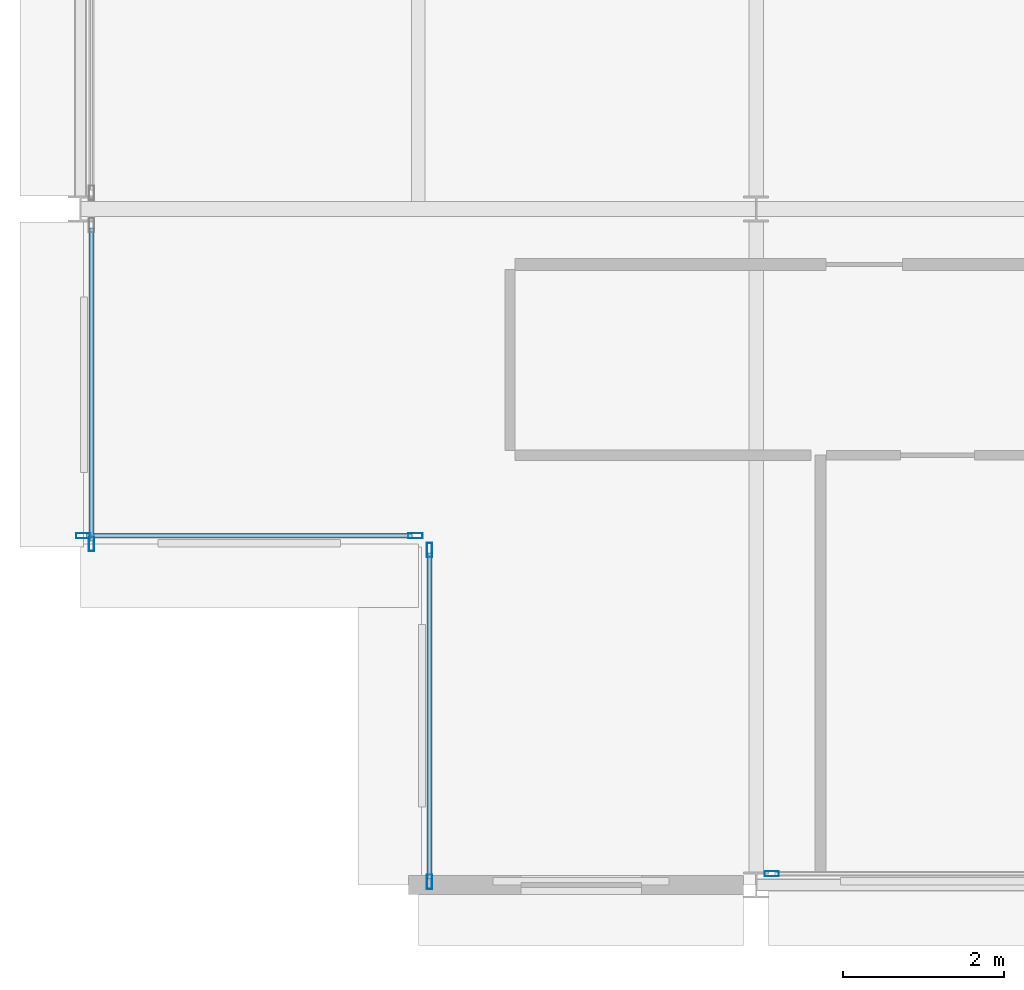
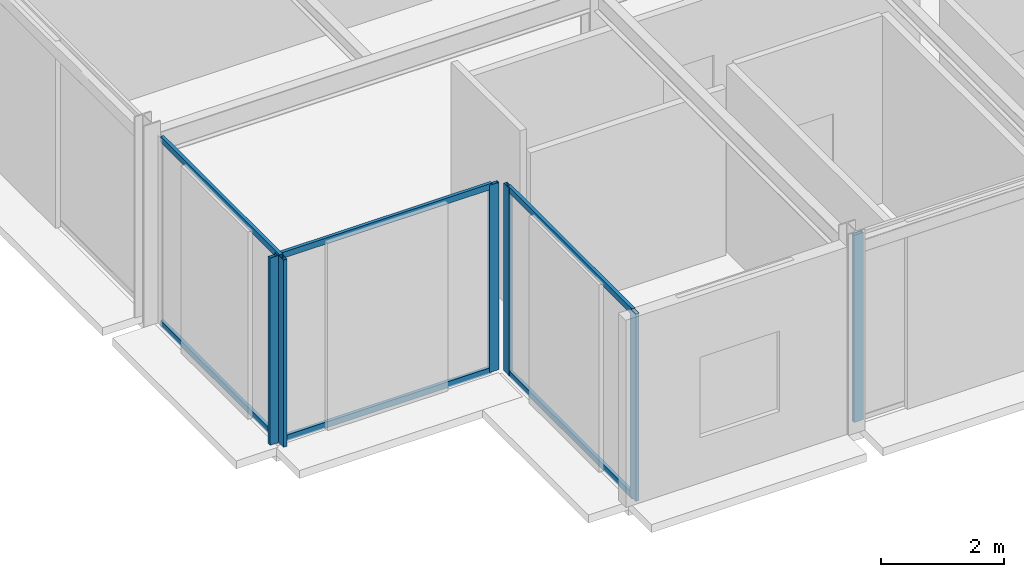
# One storey, part 3 of 25: 12 members, 4 elements without a shape of their own.
"""IFC4 building model written with IfcOpenShell, lengths in metres."""

from ifc_helpers import new_model, si_unit, direction, frame, origin, origin_2d, place, context, subcontext, project, spatial, hollow_rectangle, extrude, material, layer, layer_set, material_profile, profile_set, type_object, element, aggregate, save


model = new_model("IFC4")

# Units and contexts
model_context = context("Model", 3, precision=1e-05, world=origin(), true_north=direction((0.0, 1.0)))
body_context = subcontext(model_context, "Body", "Model", "MODEL_VIEW")
ifc_project = project(units=[si_unit("LENGTHUNIT", "METRE"), si_unit("AREAUNIT", "SQUARE_METRE"), si_unit("VOLUMEUNIT", "CUBIC_METRE"), si_unit("PLANEANGLEUNIT", "RADIAN"), si_unit("MASSUNIT", "GRAM", prefix="KILO")], contexts=[model_context])

# Site, building, storey
site_placement = place(None, origin())
site = spatial("IfcSite", under=ifc_project, at=site_placement, CompositionType="ELEMENT")
building_placement = place(site_placement, origin())
building = spatial("IfcBuilding", under=site, at=building_placement, Name="Nerrivon Quay Data Exchange", CompositionType="ELEMENT")
storey_placement = place(building_placement, frame((0.0, 0.0, 290.199951171875)))
storey = spatial("IfcBuildingStorey", under=building, at=storey_placement, Name="L69", CompositionType="ELEMENT", Elevation=290.199951171875)

# Curtain wall, member
ifc_material = material(Name="Anodised aluminium 6063-T6", Category="aluminium")
ifc_layer = layer(ifc_material, 0.195068359375)
ifc_layer_set = layer_set([ifc_layer], Name="Anodised aluminium 6063-T6")
curtain_wall_type = type_object("IfcCurtainWallType", Name="CW-SYS-06", PredefinedType="NOTDEFINED", material=ifc_layer_set)
curtain_wall_1_placement = place(storey_placement, origin())
curtain_wall_1 = element("IfcCurtainWall", 1, at=curtain_wall_1_placement, inside=storey, type_object=curtain_wall_type, Name="L69 Unitised Curtain Wall 4", PredefinedType="NOTDEFINED")
ifc_material_profile_1 = material_profile(ifc_material, hollow_rectangle(XDim=0.06494140625, YDim=0.179931640625, WallThickness=0.00341796875, at=origin_2d()), Name="ALU-MULL-180x65")
ifc_profile_set_1 = profile_set([ifc_material_profile_1], Name="Anodised aluminium 6063-T6")
member_type_1 = type_object("IfcMemberType", Name="CWM-180x65", PredefinedType="MULLION", material=ifc_profile_set_1)
member_1_placement = place(storey_placement, frame((8.593017578125, 0.139892578125, 0.0), z_axis=(0.0, 0.0, 1.0), x_axis=(0.0, -1.0, 0.0)))
member_1 = element("IfcMember", 2, at=member_1_placement, type_object=member_type_1, Name="CW06 mullion 2", PredefinedType="MULLION", context=body_context, shape_type="SweptSolid", body=[
    extrude(hollow_rectangle(XDim=0.06494140625, YDim=0.179931640625, WallThickness=0.00341796875, at=origin_2d()), origin(), (0.0, 0.0, 1.0), 3.72509765625),
])
aggregate(curtain_wall_1, [member_1])

# Curtain wall, members
curtain_wall_2_placement = place(storey_placement, origin())
curtain_wall_2 = element("IfcCurtainWall", 3, at=curtain_wall_2_placement, inside=storey, type_object=curtain_wall_type, Name="L69 Unitised Curtain Wall 6", PredefinedType="NOTDEFINED")
member_2_placement = place(storey_placement, frame((4.340087890625, 0.03759765625, 0.0), z_axis=(0.0, 0.0, 1.0), x_axis=(-1.0, 0.0, 0.0)))
member_2 = element("IfcMember", 4, at=member_2_placement, type_object=member_type_1, Name="CW06 mullion 1", PredefinedType="MULLION", context=body_context, shape_type="SweptSolid", body=[
    extrude(hollow_rectangle(XDim=0.06494140625, YDim=0.179931640625, WallThickness=0.00341796875, at=origin_2d()), origin(), (0.0, 0.0, 1.0), 3.72509765625),
])
member_3_placement = place(storey_placement, frame((4.340087890625, 4.16259765625, 0.0), z_axis=(0.0, 0.0, 1.0), x_axis=(-1.0, 0.0, 0.0)))
member_3 = element("IfcMember", 5, at=member_3_placement, type_object=member_type_1, Name="CW06 mullion 2", PredefinedType="MULLION", context=body_context, shape_type="SweptSolid", body=[
    extrude(hollow_rectangle(XDim=0.06494140625, YDim=0.179931640625, WallThickness=0.00341796875, at=origin_2d()), origin(), (0.0, 0.0, 1.0), 3.72509765625),
])

curtain_wall_3_placement = place(storey_placement, origin())
curtain_wall_3 = element("IfcCurtainWall", 6, at=curtain_wall_3_placement, inside=storey, type_object=curtain_wall_type, Name="L69 Unitised Curtain Wall 7", PredefinedType="NOTDEFINED")
member_4_placement = place(storey_placement, frame((4.16259765625, 4.340087890625, 0.0), z_axis=(0.0, 0.0, 1.0), x_axis=(0.0, -1.0, 0.0)))
member_4 = element("IfcMember", 7, at=member_4_placement, type_object=member_type_1, Name="CW06 mullion 1", PredefinedType="MULLION", context=body_context, shape_type="SweptSolid", body=[
    extrude(hollow_rectangle(XDim=0.06494140625, YDim=0.179931640625, WallThickness=0.00341796875, at=origin_2d()), origin(), (0.0, 0.0, 1.0), 3.72509765625),
])
member_5_placement = place(storey_placement, frame((0.03759765625, 4.340087890625, 0.0), z_axis=(0.0, 0.0, 1.0), x_axis=(0.0, -1.0, 0.0)))
member_5 = element("IfcMember", 8, at=member_5_placement, type_object=member_type_1, Name="CW06 mullion 2", PredefinedType="MULLION", context=body_context, shape_type="SweptSolid", body=[
    extrude(hollow_rectangle(XDim=0.06494140625, YDim=0.179931640625, WallThickness=0.00341796875, at=origin_2d()), origin(), (0.0, 0.0, 1.0), 3.72509765625),
])

# Curtain wall, member
curtain_wall_4_placement = place(storey_placement, origin())
curtain_wall_4 = element("IfcCurtainWall", 9, at=curtain_wall_4_placement, inside=storey, type_object=curtain_wall_type, Name="L69 Unitised Curtain Wall 8", PredefinedType="NOTDEFINED")
member_6_placement = place(storey_placement, frame((0.139892578125, 4.237548828125, 0.0), z_axis=(0.0, 0.0, 1.0), x_axis=(-1.0, 0.0, 0.0)))
member_6 = element("IfcMember", 10, at=member_6_placement, type_object=member_type_1, Name="CW06 mullion 1", PredefinedType="MULLION", context=body_context, shape_type="SweptSolid", body=[
    extrude(hollow_rectangle(XDim=0.06494140625, YDim=0.179931640625, WallThickness=0.00341796875, at=origin_2d()), origin(), (0.0, 0.0, 1.0), 3.72509765625),
])

# Member
ifc_material_profile_2 = material_profile(ifc_material, hollow_rectangle(XDim=0.06005859375, YDim=0.1201171875, WallThickness=0.003173828125, at=origin_2d()), Name="ALU-TRAN-120x60")
ifc_profile_set_2 = profile_set([ifc_material_profile_2], Name="Anodised aluminium 6063-T6")
member_type_2 = type_object("IfcMemberType", Name="CWT-120x60", PredefinedType="USERDEFINED", material=ifc_profile_set_2)
member_7_placement = place(storey_placement, frame((4.340087890625, 0.074951171875, 0.032470703125), z_axis=(0.0, 1.0, 0.0), x_axis=(-1.0, 0.0, 0.0)))
member_7 = element("IfcMember", 11, at=member_7_placement, type_object=member_type_2, Name="CW06 transom 1.1", ObjectType="TRANSOM", PredefinedType="USERDEFINED", context=body_context, shape_type="SweptSolid", body=[
    extrude(hollow_rectangle(XDim=0.06005859375, YDim=0.1201171875, WallThickness=0.003173828125, at=origin_2d()), origin(), (0.0, 0.0, 1.0), 4.050048828125),
])

member_8_placement = place(storey_placement, frame((4.340087890625, 0.074951171875, 3.692626953125), z_axis=(0.0, 1.0, 0.0), x_axis=(-1.0, 0.0, 0.0)))
member_8 = element("IfcMember", 12, at=member_8_placement, type_object=member_type_2, Name="CW06 transom 1.2", ObjectType="TRANSOM", PredefinedType="USERDEFINED", context=body_context, shape_type="SweptSolid", body=[
    extrude(hollow_rectangle(XDim=0.06005859375, YDim=0.1201171875, WallThickness=0.003173828125, at=origin_2d()), origin(), (0.0, 0.0, 1.0), 4.050048828125),
])

aggregate(curtain_wall_2, [member_2, member_3, member_7, member_8])

member_9_placement = place(storey_placement, frame((4.125, 4.340087890625, 0.032470703125), z_axis=(-1.0, 0.0, 0.0), x_axis=(0.0, -1.0, 0.0)))
member_9 = element("IfcMember", 13, at=member_9_placement, type_object=member_type_2, Name="CW06 transom 1.1", ObjectType="TRANSOM", PredefinedType="USERDEFINED", context=body_context, shape_type="SweptSolid", body=[
    extrude(hollow_rectangle(XDim=0.06005859375, YDim=0.1201171875, WallThickness=0.003173828125, at=origin_2d()), origin(), (0.0, 0.0, 1.0), 4.050048828125),
])

member_10_placement = place(storey_placement, frame((4.125, 4.340087890625, 3.692626953125), z_axis=(-1.0, 0.0, 0.0), x_axis=(0.0, -1.0, 0.0)))
member_10 = element("IfcMember", 14, at=member_10_placement, type_object=member_type_2, Name="CW06 transom 1.2", ObjectType="TRANSOM", PredefinedType="USERDEFINED", context=body_context, shape_type="SweptSolid", body=[
    extrude(hollow_rectangle(XDim=0.06005859375, YDim=0.1201171875, WallThickness=0.003173828125, at=origin_2d()), origin(), (0.0, 0.0, 1.0), 4.050048828125),
])

aggregate(curtain_wall_3, [member_4, member_5, member_9, member_10])

member_11_placement = place(storey_placement, frame((0.139892578125, 4.27490234375, 0.032470703125), z_axis=(0.0, 1.0, 0.0), x_axis=(-1.0, 0.0, 0.0)))
member_11 = element("IfcMember", 15, at=member_11_placement, type_object=member_type_2, Name="CW06 transom 1.1", ObjectType="TRANSOM", PredefinedType="USERDEFINED", context=body_context, shape_type="SweptSolid", body=[
    extrude(hollow_rectangle(XDim=0.06005859375, YDim=0.1201171875, WallThickness=0.003173828125, at=origin_2d()), origin(), (0.0, 0.0, 1.0), 3.88671875),
])

member_12_placement = place(storey_placement, frame((0.139892578125, 4.27490234375, 3.692626953125), z_axis=(0.0, 1.0, 0.0), x_axis=(-1.0, 0.0, 0.0)))
member_12 = element("IfcMember", 16, at=member_12_placement, type_object=member_type_2, Name="CW06 transom 1.2", ObjectType="TRANSOM", PredefinedType="USERDEFINED", context=body_context, shape_type="SweptSolid", body=[
    extrude(hollow_rectangle(XDim=0.06005859375, YDim=0.1201171875, WallThickness=0.003173828125, at=origin_2d()), origin(), (0.0, 0.0, 1.0), 3.88671875),
])

aggregate(curtain_wall_4, [member_6, member_11, member_12])

save(model, "model.ifc")
